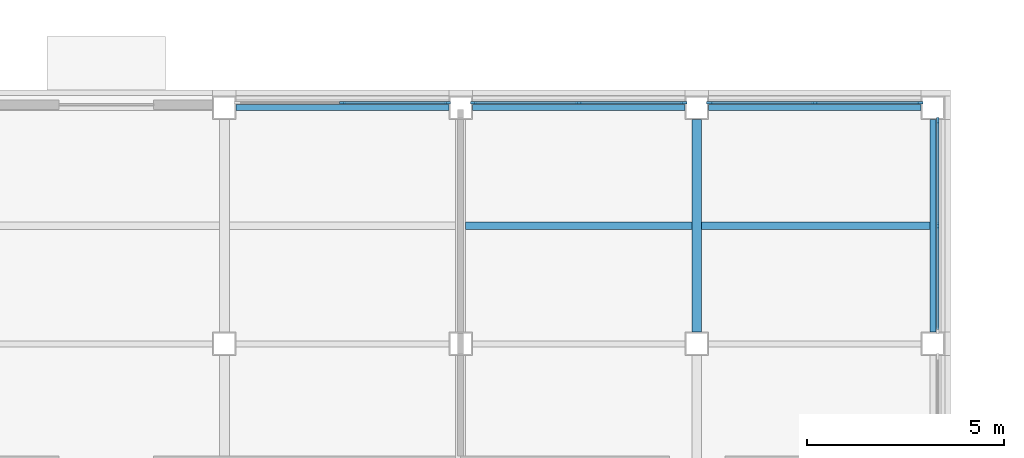
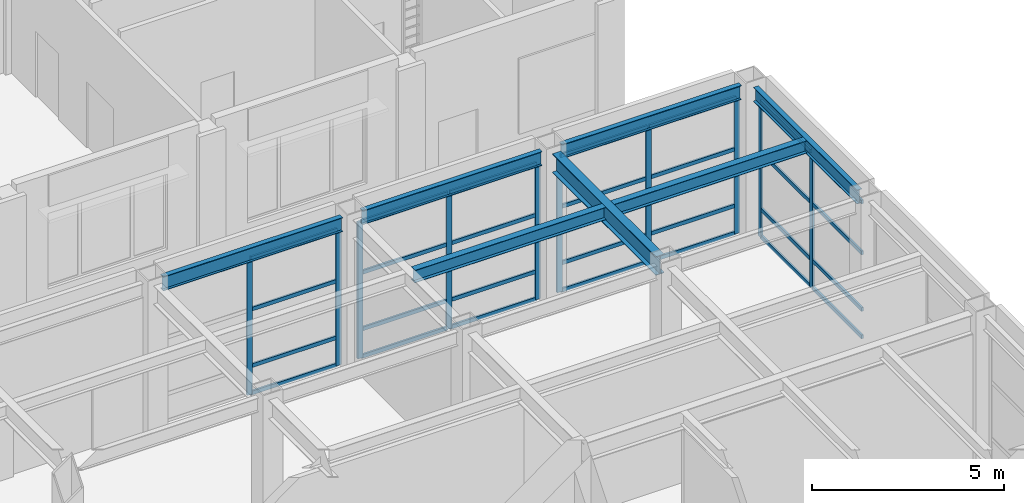
# One storey, part 28 of 77: 38 members, 7 beams, 4 elements without a shape of their own.
"""IFC4 building model written with IfcOpenShell, lengths in metres."""

from ifc_helpers import new_model, si_unit, direction, frame, origin, origin_2d, place, context, subcontext, project, spatial, rectangle, i_section, extrude, material, material_profile, profile_set, type_object, element, aggregate, save


model = new_model("IFC4")

# Units and contexts
model_context = context("Model", 3, precision=1e-05, world=origin(), true_north=direction((0.0, 1.0)))
body_context = subcontext(model_context, "Body", "Model", "MODEL_VIEW")
ifc_project = project(units=[si_unit("LENGTHUNIT", "METRE"), si_unit("AREAUNIT", "SQUARE_METRE"), si_unit("VOLUMEUNIT", "CUBIC_METRE"), si_unit("PLANEANGLEUNIT", "RADIAN"), si_unit("MASSUNIT", "GRAM", prefix="KILO")], contexts=[model_context])

# Site, building, storey
site_placement = place(None, origin())
site = spatial("IfcSite", under=ifc_project, at=site_placement, CompositionType="ELEMENT")
building_placement = place(site_placement, origin())
building = spatial("IfcBuilding", under=site, at=building_placement, Name="Aravalli Gate Trade Fair Centre", CompositionType="ELEMENT")
storey_placement = place(building_placement, origin())
storey = spatial("IfcBuildingStorey", under=building, at=storey_placement, Name="L00", CompositionType="ELEMENT", Elevation=0.0)

# Beam
ifc_material_1 = material(Name="Steel E350", Category="steel")
ifc_material_profile_1 = material_profile(ifc_material_1, i_section(OverallWidth=0.25, OverallDepth=0.60009765625, WebThickness=0.01123046875, FlangeThickness=0.021240234375, at=origin_2d()), Name="ISWB 600")
ifc_profile_set_1 = profile_set([ifc_material_profile_1], Name="Steel E350")
beam_type_1 = type_object("IfcBeamType", Name="Wing corner transfer girder ISWB 600 (podium floors)", PredefinedType="BEAM", material=ifc_profile_set_1)
beam_1_placement = place(storey_placement, frame((196.0, 127.300048828125, 4.5), z_axis=(0.0, 1.0, 0.0), x_axis=(-1.0, 0.0, 0.0)))
element("IfcBeam", 1, at=beam_1_placement, inside=storey, type_object=beam_type_1, Name="Corner transfer girder CNEyb L01", PredefinedType="BEAM", context=body_context, shape_type="SweptSolid", body=[
    extrude(i_section(OverallWidth=0.25, OverallDepth=0.60009765625, WebThickness=0.01123046875, FlangeThickness=0.021240234375, at=origin_2d()), origin(), (0.0, 0.0, 1.0), 5.39990234375),
])

# Curtain wall, members
ifc_material_2 = material(Name="Aluminium and glass", Category="aluminium")
curtain_wall_type = type_object("IfcCurtainWallType", Name="Wing curtain wall", PredefinedType="NOTDEFINED", material=ifc_material_2)
curtain_wall_1_placement = place(storey_placement, origin())
curtain_wall_1 = element("IfcCurtainWall", 2, at=curtain_wall_1_placement, inside=storey, type_object=curtain_wall_type, Name="Curtain wall N4 L00", PredefinedType="NOTDEFINED")
ifc_material_3 = material(Name="Aluminium", Category="aluminium")
ifc_material_profile_2 = material_profile(ifc_material_3, rectangle(XDim=0.06005859375, YDim=0.159912109375, at=origin_2d()), Name="Wing curtain wall mullion 60 x 160")
ifc_profile_set_2 = profile_set([ifc_material_profile_2], Name="Aluminium")
member_type_1 = type_object("IfcMemberType", Name="Wing curtain wall mullion 60 x 160", PredefinedType="MULLION", material=ifc_profile_set_2)
member_1_placement = place(storey_placement, frame((187.0, 133.125, 0.0), z_axis=(0.0, 0.0, 1.0), x_axis=(0.0, 1.0, 0.0)))
member_1 = element("IfcMember", 3, at=member_1_placement, type_object=member_type_1, Name="TCW1 mullion 2", PredefinedType="MULLION", context=body_context, shape_type="SweptSolid", body=[
    extrude(rectangle(XDim=0.06005859375, YDim=0.159912109375, at=origin_2d()), origin(), (0.0, 0.0, 1.0), 4.35009765625),
])
member_2_placement = place(storey_placement, frame((189.669921875, 133.125, 0.0), z_axis=(0.0, 0.0, 1.0), x_axis=(0.0, 1.0, 0.0)))
member_2 = element("IfcMember", 4, at=member_2_placement, type_object=member_type_1, Name="TCW1 mullion 3", PredefinedType="MULLION", context=body_context, shape_type="SweptSolid", body=[
    extrude(rectangle(XDim=0.06005859375, YDim=0.159912109375, at=origin_2d()), origin(), (0.0, 0.0, 1.0), 4.35009765625),
])

curtain_wall_2_placement = place(storey_placement, origin())
curtain_wall_2 = element("IfcCurtainWall", 5, at=curtain_wall_2_placement, inside=storey, type_object=curtain_wall_type, Name="Curtain wall N5 L00", PredefinedType="NOTDEFINED")
member_3_placement = place(storey_placement, frame((190.330078125, 133.125, 0.0), z_axis=(0.0, 0.0, 1.0), x_axis=(0.0, 1.0, 0.0)))
member_3 = element("IfcMember", 6, at=member_3_placement, type_object=member_type_1, Name="TCW1 mullion 1", PredefinedType="MULLION", context=body_context, shape_type="SweptSolid", body=[
    extrude(rectangle(XDim=0.06005859375, YDim=0.159912109375, at=origin_2d()), origin(), (0.0, 0.0, 1.0), 4.35009765625),
])
member_4_placement = place(storey_placement, frame((193.0, 133.125, 0.0), z_axis=(0.0, 0.0, 1.0), x_axis=(0.0, 1.0, 0.0)))
member_4 = element("IfcMember", 7, at=member_4_placement, type_object=member_type_1, Name="TCW1 mullion 2", PredefinedType="MULLION", context=body_context, shape_type="SweptSolid", body=[
    extrude(rectangle(XDim=0.06005859375, YDim=0.159912109375, at=origin_2d()), origin(), (0.0, 0.0, 1.0), 4.35009765625),
])
member_5_placement = place(storey_placement, frame((195.669921875, 133.125, 0.0), z_axis=(0.0, 0.0, 1.0), x_axis=(0.0, 1.0, 0.0)))
member_5 = element("IfcMember", 8, at=member_5_placement, type_object=member_type_1, Name="TCW1 mullion 3", PredefinedType="MULLION", context=body_context, shape_type="SweptSolid", body=[
    extrude(rectangle(XDim=0.06005859375, YDim=0.159912109375, at=origin_2d()), origin(), (0.0, 0.0, 1.0), 4.35009765625),
])

curtain_wall_3_placement = place(storey_placement, origin())
curtain_wall_3 = element("IfcCurtainWall", 9, at=curtain_wall_3_placement, inside=storey, type_object=curtain_wall_type, Name="Curtain wall N6 L00", PredefinedType="NOTDEFINED")
member_6_placement = place(storey_placement, frame((196.330078125, 133.125, 0.0), z_axis=(0.0, 0.0, 1.0), x_axis=(0.0, 1.0, 0.0)))
member_6 = element("IfcMember", 10, at=member_6_placement, type_object=member_type_1, Name="TCW1 mullion 1", PredefinedType="MULLION", context=body_context, shape_type="SweptSolid", body=[
    extrude(rectangle(XDim=0.06005859375, YDim=0.159912109375, at=origin_2d()), origin(), (0.0, 0.0, 1.0), 4.35009765625),
])
member_7_placement = place(storey_placement, frame((199.0, 133.125, 0.0), z_axis=(0.0, 0.0, 1.0), x_axis=(0.0, 1.0, 0.0)))
member_7 = element("IfcMember", 11, at=member_7_placement, type_object=member_type_1, Name="TCW1 mullion 2", PredefinedType="MULLION", context=body_context, shape_type="SweptSolid", body=[
    extrude(rectangle(XDim=0.06005859375, YDim=0.159912109375, at=origin_2d()), origin(), (0.0, 0.0, 1.0), 4.35009765625),
])
member_8_placement = place(storey_placement, frame((201.669921875, 133.125, 0.0), z_axis=(0.0, 0.0, 1.0), x_axis=(0.0, 1.0, 0.0)))
member_8 = element("IfcMember", 12, at=member_8_placement, type_object=member_type_1, Name="TCW1 mullion 3", PredefinedType="MULLION", context=body_context, shape_type="SweptSolid", body=[
    extrude(rectangle(XDim=0.06005859375, YDim=0.159912109375, at=origin_2d()), origin(), (0.0, 0.0, 1.0), 4.35009765625),
])

curtain_wall_4_placement = place(storey_placement, origin())
curtain_wall_4 = element("IfcCurtainWall", 13, at=curtain_wall_4_placement, inside=storey, type_object=curtain_wall_type, Name="Curtain wall E6 L00", PredefinedType="NOTDEFINED")
member_9_placement = place(storey_placement, frame((202.125, 130.0, 0.0), z_axis=(0.0, 0.0, 1.0), x_axis=(-1.0, 0.0, 0.0)))
member_9 = element("IfcMember", 14, at=member_9_placement, type_object=member_type_1, Name="TCW1 mullion 2", PredefinedType="MULLION", context=body_context, shape_type="SweptSolid", body=[
    extrude(rectangle(XDim=0.06005859375, YDim=0.159912109375, at=origin_2d()), origin(), (0.0, 0.0, 1.0), 4.35009765625),
])
member_10_placement = place(storey_placement, frame((202.125, 132.669921875, 0.0), z_axis=(0.0, 0.0, 1.0), x_axis=(-1.0, 0.0, 0.0)))
member_10 = element("IfcMember", 15, at=member_10_placement, type_object=member_type_1, Name="TCW1 mullion 3", PredefinedType="MULLION", context=body_context, shape_type="SweptSolid", body=[
    extrude(rectangle(XDim=0.06005859375, YDim=0.159912109375, at=origin_2d()), origin(), (0.0, 0.0, 1.0), 4.35009765625),
])

# Member
ifc_material_profile_3 = material_profile(ifc_material_3, rectangle(XDim=0.06005859375, YDim=0.1201171875, at=origin_2d()), Name="Wing curtain wall transom 60 x 120")
ifc_profile_set_3 = profile_set([ifc_material_profile_3], Name="Aluminium")
member_type_2 = type_object("IfcMemberType", Name="Wing curtain wall transom 60 x 120", PredefinedType="USERDEFINED", material=ifc_profile_set_3)
member_11_placement = place(storey_placement, frame((187.030029296875, 133.125, 0.030029296875), z_axis=(1.0, 0.0, 0.0), x_axis=(0.0, 1.0, 0.0)))
member_11 = element("IfcMember", 16, at=member_11_placement, type_object=member_type_2, Name="TCW1 transom 2.1", ObjectType="TRANSOM", PredefinedType="USERDEFINED", context=body_context, shape_type="SweptSolid", body=[
    extrude(rectangle(XDim=0.06005859375, YDim=0.1201171875, at=origin_2d()), origin(), (0.0, 0.0, 1.0), 2.60986328125),
])

member_12_placement = place(storey_placement, frame((187.030029296875, 133.125, 0.89990234375), z_axis=(1.0, 0.0, 0.0), x_axis=(0.0, 1.0, 0.0)))
member_12 = element("IfcMember", 17, at=member_12_placement, type_object=member_type_2, Name="TCW1 transom 2.2", ObjectType="TRANSOM", PredefinedType="USERDEFINED", context=body_context, shape_type="SweptSolid", body=[
    extrude(rectangle(XDim=0.06005859375, YDim=0.1201171875, at=origin_2d()), origin(), (0.0, 0.0, 1.0), 2.60986328125),
])

member_13_placement = place(storey_placement, frame((187.030029296875, 133.125, 2.699951171875), z_axis=(1.0, 0.0, 0.0), x_axis=(0.0, 1.0, 0.0)))
member_13 = element("IfcMember", 18, at=member_13_placement, type_object=member_type_2, Name="TCW1 transom 2.3", ObjectType="TRANSOM", PredefinedType="USERDEFINED", context=body_context, shape_type="SweptSolid", body=[
    extrude(rectangle(XDim=0.06005859375, YDim=0.1201171875, at=origin_2d()), origin(), (0.0, 0.0, 1.0), 2.60986328125),
])

member_14_placement = place(storey_placement, frame((187.030029296875, 133.125, 4.320068359375), z_axis=(1.0, 0.0, 0.0), x_axis=(0.0, 1.0, 0.0)))
member_14 = element("IfcMember", 19, at=member_14_placement, type_object=member_type_2, Name="TCW1 transom 2.4", ObjectType="TRANSOM", PredefinedType="USERDEFINED", context=body_context, shape_type="SweptSolid", body=[
    extrude(rectangle(XDim=0.06005859375, YDim=0.1201171875, at=origin_2d()), origin(), (0.0, 0.0, 1.0), 2.60986328125),
])

aggregate(curtain_wall_1, [member_1, member_2, member_11, member_12, member_13, member_14])

member_15_placement = place(storey_placement, frame((190.360107421875, 133.125, 0.030029296875), z_axis=(1.0, 0.0, 0.0), x_axis=(0.0, 1.0, 0.0)))
member_15 = element("IfcMember", 20, at=member_15_placement, type_object=member_type_2, Name="TCW1 transom 1.1", ObjectType="TRANSOM", PredefinedType="USERDEFINED", context=body_context, shape_type="SweptSolid", body=[
    extrude(rectangle(XDim=0.06005859375, YDim=0.1201171875, at=origin_2d()), origin(), (0.0, 0.0, 1.0), 2.60986328125),
])

member_16_placement = place(storey_placement, frame((190.360107421875, 133.125, 0.89990234375), z_axis=(1.0, 0.0, 0.0), x_axis=(0.0, 1.0, 0.0)))
member_16 = element("IfcMember", 21, at=member_16_placement, type_object=member_type_2, Name="TCW1 transom 1.2", ObjectType="TRANSOM", PredefinedType="USERDEFINED", context=body_context, shape_type="SweptSolid", body=[
    extrude(rectangle(XDim=0.06005859375, YDim=0.1201171875, at=origin_2d()), origin(), (0.0, 0.0, 1.0), 2.60986328125),
])

member_17_placement = place(storey_placement, frame((190.360107421875, 133.125, 2.699951171875), z_axis=(1.0, 0.0, 0.0), x_axis=(0.0, 1.0, 0.0)))
member_17 = element("IfcMember", 22, at=member_17_placement, type_object=member_type_2, Name="TCW1 transom 1.3", ObjectType="TRANSOM", PredefinedType="USERDEFINED", context=body_context, shape_type="SweptSolid", body=[
    extrude(rectangle(XDim=0.06005859375, YDim=0.1201171875, at=origin_2d()), origin(), (0.0, 0.0, 1.0), 2.60986328125),
])

member_18_placement = place(storey_placement, frame((190.360107421875, 133.125, 4.320068359375), z_axis=(1.0, 0.0, 0.0), x_axis=(0.0, 1.0, 0.0)))
member_18 = element("IfcMember", 23, at=member_18_placement, type_object=member_type_2, Name="TCW1 transom 1.4", ObjectType="TRANSOM", PredefinedType="USERDEFINED", context=body_context, shape_type="SweptSolid", body=[
    extrude(rectangle(XDim=0.06005859375, YDim=0.1201171875, at=origin_2d()), origin(), (0.0, 0.0, 1.0), 2.60986328125),
])

member_19_placement = place(storey_placement, frame((193.030029296875, 133.125, 0.030029296875), z_axis=(1.0, 0.0, 0.0), x_axis=(0.0, 1.0, 0.0)))
member_19 = element("IfcMember", 24, at=member_19_placement, type_object=member_type_2, Name="TCW1 transom 2.1", ObjectType="TRANSOM", PredefinedType="USERDEFINED", context=body_context, shape_type="SweptSolid", body=[
    extrude(rectangle(XDim=0.06005859375, YDim=0.1201171875, at=origin_2d()), origin(), (0.0, 0.0, 1.0), 2.60986328125),
])

member_20_placement = place(storey_placement, frame((193.030029296875, 133.125, 0.89990234375), z_axis=(1.0, 0.0, 0.0), x_axis=(0.0, 1.0, 0.0)))
member_20 = element("IfcMember", 25, at=member_20_placement, type_object=member_type_2, Name="TCW1 transom 2.2", ObjectType="TRANSOM", PredefinedType="USERDEFINED", context=body_context, shape_type="SweptSolid", body=[
    extrude(rectangle(XDim=0.06005859375, YDim=0.1201171875, at=origin_2d()), origin(), (0.0, 0.0, 1.0), 2.60986328125),
])

member_21_placement = place(storey_placement, frame((193.030029296875, 133.125, 2.699951171875), z_axis=(1.0, 0.0, 0.0), x_axis=(0.0, 1.0, 0.0)))
member_21 = element("IfcMember", 26, at=member_21_placement, type_object=member_type_2, Name="TCW1 transom 2.3", ObjectType="TRANSOM", PredefinedType="USERDEFINED", context=body_context, shape_type="SweptSolid", body=[
    extrude(rectangle(XDim=0.06005859375, YDim=0.1201171875, at=origin_2d()), origin(), (0.0, 0.0, 1.0), 2.60986328125),
])

member_22_placement = place(storey_placement, frame((193.030029296875, 133.125, 4.320068359375), z_axis=(1.0, 0.0, 0.0), x_axis=(0.0, 1.0, 0.0)))
member_22 = element("IfcMember", 27, at=member_22_placement, type_object=member_type_2, Name="TCW1 transom 2.4", ObjectType="TRANSOM", PredefinedType="USERDEFINED", context=body_context, shape_type="SweptSolid", body=[
    extrude(rectangle(XDim=0.06005859375, YDim=0.1201171875, at=origin_2d()), origin(), (0.0, 0.0, 1.0), 2.60986328125),
])

aggregate(curtain_wall_2, [member_3, member_4, member_5, member_15, member_16, member_17, member_18, member_19, member_20, member_21, member_22])

member_23_placement = place(storey_placement, frame((196.360107421875, 133.125, 0.030029296875), z_axis=(1.0, 0.0, 0.0), x_axis=(0.0, 1.0, 0.0)))
member_23 = element("IfcMember", 28, at=member_23_placement, type_object=member_type_2, Name="TCW1 transom 1.1", ObjectType="TRANSOM", PredefinedType="USERDEFINED", context=body_context, shape_type="SweptSolid", body=[
    extrude(rectangle(XDim=0.06005859375, YDim=0.1201171875, at=origin_2d()), origin(), (0.0, 0.0, 1.0), 2.60986328125),
])

member_24_placement = place(storey_placement, frame((196.360107421875, 133.125, 0.89990234375), z_axis=(1.0, 0.0, 0.0), x_axis=(0.0, 1.0, 0.0)))
member_24 = element("IfcMember", 29, at=member_24_placement, type_object=member_type_2, Name="TCW1 transom 1.2", ObjectType="TRANSOM", PredefinedType="USERDEFINED", context=body_context, shape_type="SweptSolid", body=[
    extrude(rectangle(XDim=0.06005859375, YDim=0.1201171875, at=origin_2d()), origin(), (0.0, 0.0, 1.0), 2.60986328125),
])

member_25_placement = place(storey_placement, frame((196.360107421875, 133.125, 2.699951171875), z_axis=(1.0, 0.0, 0.0), x_axis=(0.0, 1.0, 0.0)))
member_25 = element("IfcMember", 30, at=member_25_placement, type_object=member_type_2, Name="TCW1 transom 1.3", ObjectType="TRANSOM", PredefinedType="USERDEFINED", context=body_context, shape_type="SweptSolid", body=[
    extrude(rectangle(XDim=0.06005859375, YDim=0.1201171875, at=origin_2d()), origin(), (0.0, 0.0, 1.0), 2.60986328125),
])

member_26_placement = place(storey_placement, frame((196.360107421875, 133.125, 4.320068359375), z_axis=(1.0, 0.0, 0.0), x_axis=(0.0, 1.0, 0.0)))
member_26 = element("IfcMember", 31, at=member_26_placement, type_object=member_type_2, Name="TCW1 transom 1.4", ObjectType="TRANSOM", PredefinedType="USERDEFINED", context=body_context, shape_type="SweptSolid", body=[
    extrude(rectangle(XDim=0.06005859375, YDim=0.1201171875, at=origin_2d()), origin(), (0.0, 0.0, 1.0), 2.60986328125),
])

member_27_placement = place(storey_placement, frame((199.030029296875, 133.125, 0.030029296875), z_axis=(1.0, 0.0, 0.0), x_axis=(0.0, 1.0, 0.0)))
member_27 = element("IfcMember", 32, at=member_27_placement, type_object=member_type_2, Name="TCW1 transom 2.1", ObjectType="TRANSOM", PredefinedType="USERDEFINED", context=body_context, shape_type="SweptSolid", body=[
    extrude(rectangle(XDim=0.06005859375, YDim=0.1201171875, at=origin_2d()), origin(), (0.0, 0.0, 1.0), 2.60986328125),
])

member_28_placement = place(storey_placement, frame((199.030029296875, 133.125, 0.89990234375), z_axis=(1.0, 0.0, 0.0), x_axis=(0.0, 1.0, 0.0)))
member_28 = element("IfcMember", 33, at=member_28_placement, type_object=member_type_2, Name="TCW1 transom 2.2", ObjectType="TRANSOM", PredefinedType="USERDEFINED", context=body_context, shape_type="SweptSolid", body=[
    extrude(rectangle(XDim=0.06005859375, YDim=0.1201171875, at=origin_2d()), origin(), (0.0, 0.0, 1.0), 2.60986328125),
])

member_29_placement = place(storey_placement, frame((199.030029296875, 133.125, 2.699951171875), z_axis=(1.0, 0.0, 0.0), x_axis=(0.0, 1.0, 0.0)))
member_29 = element("IfcMember", 34, at=member_29_placement, type_object=member_type_2, Name="TCW1 transom 2.3", ObjectType="TRANSOM", PredefinedType="USERDEFINED", context=body_context, shape_type="SweptSolid", body=[
    extrude(rectangle(XDim=0.06005859375, YDim=0.1201171875, at=origin_2d()), origin(), (0.0, 0.0, 1.0), 2.60986328125),
])

member_30_placement = place(storey_placement, frame((199.030029296875, 133.125, 4.320068359375), z_axis=(1.0, 0.0, 0.0), x_axis=(0.0, 1.0, 0.0)))
member_30 = element("IfcMember", 35, at=member_30_placement, type_object=member_type_2, Name="TCW1 transom 2.4", ObjectType="TRANSOM", PredefinedType="USERDEFINED", context=body_context, shape_type="SweptSolid", body=[
    extrude(rectangle(XDim=0.06005859375, YDim=0.1201171875, at=origin_2d()), origin(), (0.0, 0.0, 1.0), 2.60986328125),
])

aggregate(curtain_wall_3, [member_6, member_7, member_8, member_23, member_24, member_25, member_26, member_27, member_28, member_29, member_30])

member_31_placement = place(storey_placement, frame((202.125, 127.360107421875, 0.030029296875), z_axis=(0.0, 1.0, 0.0), x_axis=(-1.0, 0.0, 0.0)))
member_31 = element("IfcMember", 36, at=member_31_placement, type_object=member_type_2, Name="TCW1 transom 1.1", ObjectType="TRANSOM", PredefinedType="USERDEFINED", context=body_context, shape_type="SweptSolid", body=[
    extrude(rectangle(XDim=0.06005859375, YDim=0.1201171875, at=origin_2d()), origin(), (0.0, 0.0, 1.0), 2.60986328125),
])

member_32_placement = place(storey_placement, frame((202.125, 127.360107421875, 0.89990234375), z_axis=(0.0, 1.0, 0.0), x_axis=(-1.0, 0.0, 0.0)))
member_32 = element("IfcMember", 37, at=member_32_placement, type_object=member_type_2, Name="TCW1 transom 1.2", ObjectType="TRANSOM", PredefinedType="USERDEFINED", context=body_context, shape_type="SweptSolid", body=[
    extrude(rectangle(XDim=0.06005859375, YDim=0.1201171875, at=origin_2d()), origin(), (0.0, 0.0, 1.0), 2.60986328125),
])

member_33_placement = place(storey_placement, frame((202.125, 127.360107421875, 2.699951171875), z_axis=(0.0, 1.0, 0.0), x_axis=(-1.0, 0.0, 0.0)))
member_33 = element("IfcMember", 38, at=member_33_placement, type_object=member_type_2, Name="TCW1 transom 1.3", ObjectType="TRANSOM", PredefinedType="USERDEFINED", context=body_context, shape_type="SweptSolid", body=[
    extrude(rectangle(XDim=0.06005859375, YDim=0.1201171875, at=origin_2d()), origin(), (0.0, 0.0, 1.0), 2.60986328125),
])

member_34_placement = place(storey_placement, frame((202.125, 127.360107421875, 4.320068359375), z_axis=(0.0, 1.0, 0.0), x_axis=(-1.0, 0.0, 0.0)))
member_34 = element("IfcMember", 39, at=member_34_placement, type_object=member_type_2, Name="TCW1 transom 1.4", ObjectType="TRANSOM", PredefinedType="USERDEFINED", context=body_context, shape_type="SweptSolid", body=[
    extrude(rectangle(XDim=0.06005859375, YDim=0.1201171875, at=origin_2d()), origin(), (0.0, 0.0, 1.0), 2.60986328125),
])

member_35_placement = place(storey_placement, frame((202.125, 130.030029296875, 0.030029296875), z_axis=(0.0, 1.0, 0.0), x_axis=(-1.0, 0.0, 0.0)))
member_35 = element("IfcMember", 40, at=member_35_placement, type_object=member_type_2, Name="TCW1 transom 2.1", ObjectType="TRANSOM", PredefinedType="USERDEFINED", context=body_context, shape_type="SweptSolid", body=[
    extrude(rectangle(XDim=0.06005859375, YDim=0.1201171875, at=origin_2d()), origin(), (0.0, 0.0, 1.0), 2.60986328125),
])

member_36_placement = place(storey_placement, frame((202.125, 130.030029296875, 0.89990234375), z_axis=(0.0, 1.0, 0.0), x_axis=(-1.0, 0.0, 0.0)))
member_36 = element("IfcMember", 41, at=member_36_placement, type_object=member_type_2, Name="TCW1 transom 2.2", ObjectType="TRANSOM", PredefinedType="USERDEFINED", context=body_context, shape_type="SweptSolid", body=[
    extrude(rectangle(XDim=0.06005859375, YDim=0.1201171875, at=origin_2d()), origin(), (0.0, 0.0, 1.0), 2.60986328125),
])

member_37_placement = place(storey_placement, frame((202.125, 130.030029296875, 2.699951171875), z_axis=(0.0, 1.0, 0.0), x_axis=(-1.0, 0.0, 0.0)))
member_37 = element("IfcMember", 42, at=member_37_placement, type_object=member_type_2, Name="TCW1 transom 2.3", ObjectType="TRANSOM", PredefinedType="USERDEFINED", context=body_context, shape_type="SweptSolid", body=[
    extrude(rectangle(XDim=0.06005859375, YDim=0.1201171875, at=origin_2d()), origin(), (0.0, 0.0, 1.0), 2.60986328125),
])

member_38_placement = place(storey_placement, frame((202.125, 130.030029296875, 4.320068359375), z_axis=(0.0, 1.0, 0.0), x_axis=(-1.0, 0.0, 0.0)))
member_38 = element("IfcMember", 43, at=member_38_placement, type_object=member_type_2, Name="TCW1 transom 2.4", ObjectType="TRANSOM", PredefinedType="USERDEFINED", context=body_context, shape_type="SweptSolid", body=[
    extrude(rectangle(XDim=0.06005859375, YDim=0.1201171875, at=origin_2d()), origin(), (0.0, 0.0, 1.0), 2.60986328125),
])

aggregate(curtain_wall_4, [member_9, member_10, member_31, member_32, member_33, member_34, member_35, member_36, member_37, member_38])

# Beams
ifc_material_profile_4 = material_profile(ifc_material_1, i_section(OverallWidth=0.14990234375, OverallDepth=0.449951171875, WebThickness=0.009521484375, FlangeThickness=0.017333984375, at=origin_2d()), Name="ISMB 450")
ifc_profile_set_4 = profile_set([ifc_material_profile_4], Name="Steel E350")
beam_type_2 = type_object("IfcBeamType", Name="Wing perimeter beam ISMB 450 (podium floors)", PredefinedType="BEAM", material=ifc_profile_set_4)
for number, where, z_axis, x_axis, name in (
    (44, (184.300048828125, 133.0, 4.574951171875), (1.0, 0.0, 0.0), (0.0, 1.0, 0.0), "Perimeter beam EN4 L01"),
    (45, (190.300048828125, 133.0, 4.574951171875), (1.0, 0.0, 0.0), (0.0, 1.0, 0.0), "Perimeter beam EN5 L01"),
    (46, (196.300048828125, 133.0, 4.574951171875), (1.0, 0.0, 0.0), (0.0, 1.0, 0.0), "Perimeter beam EN6 L01"),
    (47, (202.0, 127.300048828125, 4.574951171875), (0.0, 1.0, 0.0), (-1.0, 0.0, 0.0), "Perimeter beam EE6 L01"),
):
    element("IfcBeam", number, at=place(storey_placement, frame(where, z_axis=z_axis, x_axis=x_axis)), inside=storey, type_object=beam_type_2, Name=name, PredefinedType="BEAM", context=body_context, shape_type="SweptSolid", body=[
        extrude(i_section(OverallWidth=0.14990234375, OverallDepth=0.449951171875, WebThickness=0.009521484375, FlangeThickness=0.017333984375, at=origin_2d()), origin(), (0.0, 0.0, 1.0), 5.39990234375),
    ])
ifc_material_profile_5 = material_profile(ifc_material_1, i_section(OverallWidth=0.199951171875, OverallDepth=0.39990234375, WebThickness=0.008544921875, FlangeThickness=0.012939453125, at=origin_2d()), Name="ISWB 400")
ifc_profile_set_5 = profile_set([ifc_material_profile_5], Name="Steel E350")
beam_type_3 = type_object("IfcBeamType", Name="Wing secondary beam ISWB 400 (podium floors)", PredefinedType="BEAM", material=ifc_profile_set_5)
beam_2_placement = place(storey_placement, frame((190.125, 130.0, 4.60009765625), z_axis=(1.0, 0.0, 0.0), x_axis=(0.0, 1.0, 0.0)))
element("IfcBeam", 48, at=beam_2_placement, inside=storey, type_object=beam_type_3, Name="Secondary beam KEN10 L01", PredefinedType="BEAM", context=body_context, shape_type="SweptSolid", body=[
    extrude(i_section(OverallWidth=0.199951171875, OverallDepth=0.39990234375, WebThickness=0.008544921875, FlangeThickness=0.012939453125, at=origin_2d()), origin(), (0.0, 0.0, 1.0), 5.75),
])
beam_3_placement = place(storey_placement, frame((196.125, 130.0, 4.60009765625), z_axis=(1.0, 0.0, 0.0), x_axis=(0.0, 1.0, 0.0)))
element("IfcBeam", 49, at=beam_3_placement, inside=storey, type_object=beam_type_3, Name="Secondary beam KEN11 L01", PredefinedType="BEAM", context=body_context, shape_type="SweptSolid", body=[
    extrude(i_section(OverallWidth=0.199951171875, OverallDepth=0.39990234375, WebThickness=0.008544921875, FlangeThickness=0.012939453125, at=origin_2d()), origin(), (0.0, 0.0, 1.0), 5.800048828125),
])

save(model, "model.ifc")
